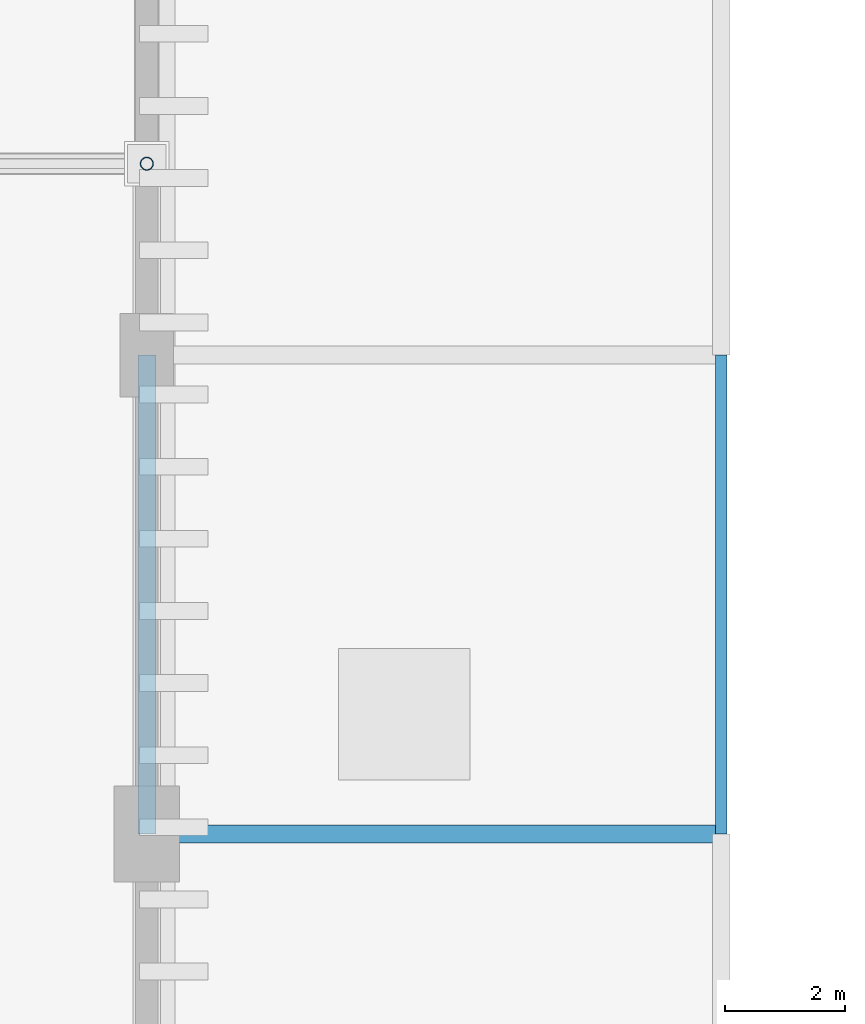
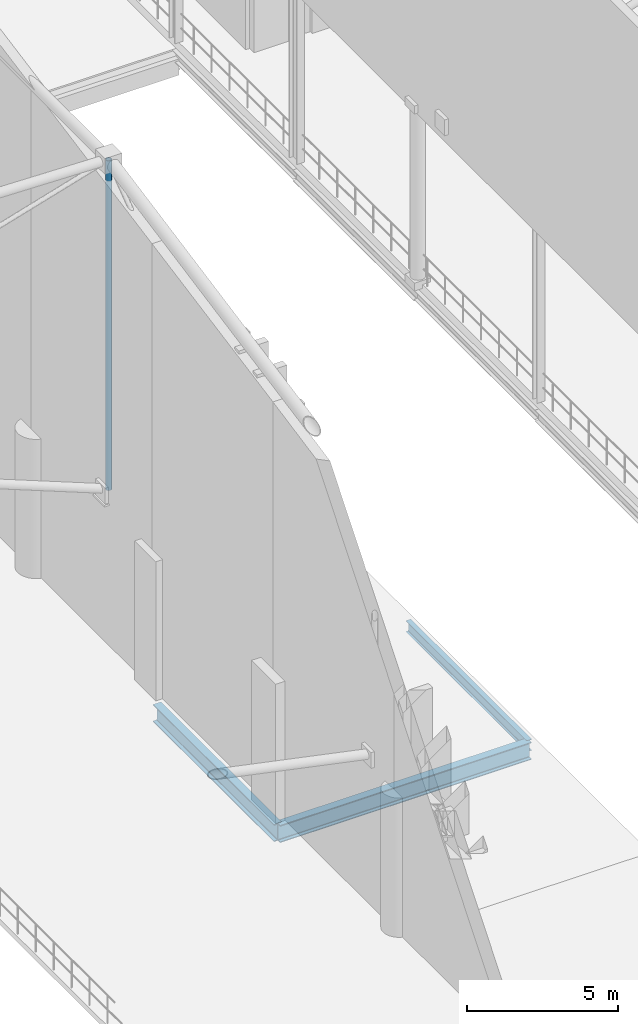
# One storey, part 66 of 193: 3 beams, 1 member.
"""IFC4 building model written with IfcOpenShell, lengths in metres."""

import ifcopenshell
import ifcopenshell.guid

model = None  # the IFC model being written
_history = None  # IfcOwnerHistory: only IFC2X3 demands one
_inside = {}  # id of a spatial element -> (the spatial element, [elements in it])
_under = {}  # id of a project, library or spatial element -> (it, [spatial elements below it])
_declared = {}  # id of a project -> (the project, [libraries it declares])
_typed = {}  # id of a type object -> (the type object, [elements of that type])
_made_of = {}  # id of a material, layer set ... -> (it, [elements and type objects made of it])


def new_model(schema):
    """Start an empty IFC model of exactly this schema.

    Asked for "IFC4X3", IfcOpenShell would pick the latest addendum, in which some entities
    have other attributes; the version numbers below select the first issue.
    IFC2X3 requires an IfcOwnerHistory on every rooted entity: one is made here for all.
    """
    global model, _history
    if schema == "IFC4X3":
        model = ifcopenshell.file(schema_version=(4, 3, 0, 0))
    else:
        model = ifcopenshell.file(schema=schema)
    _inside.clear()
    _under.clear()
    _declared.clear()
    _typed.clear()
    _made_of.clear()
    _history = None
    if model.schema == "IFC2X3":
        org = make("IfcOrganization", Name="unknown")
        user = make(
            "IfcPersonAndOrganization",
            ThePerson=make("IfcPerson", FamilyName="unknown"),
            TheOrganization=org,
        )
        app = make(
            "IfcApplication",
            ApplicationDeveloper=org,
            Version="unknown",
            ApplicationFullName="unknown",
            ApplicationIdentifier="unknown",
        )
        _history = make(
            "IfcOwnerHistory",
            OwningUser=user,
            OwningApplication=app,
            ChangeAction="ADDED",
            CreationDate=0,
        )
    return model


def make(cls, **values):
    """One entity of the class cls with the attributes given. An attribute that is None is left unset."""
    return model.create_entity(
        cls, **{name: value for name, value in values.items() if value is not None}
    )


def rooted(cls, **values):
    """An entity with a GlobalId (a new one), such as an element, a storey or a relation."""
    return make(cls, GlobalId=ifcopenshell.guid.new(), OwnerHistory=_history, **values)


def si_unit(unit_type, name, prefix=None):
    """IfcSIUnit, for example si_unit("LENGTHUNIT", "METRE", prefix="MILLI")."""
    return make("IfcSIUnit", UnitType=unit_type, Prefix=prefix, Name=name)


def assignment(units):
    """IfcUnitAssignment: the units of a project."""
    return None if units is None else make("IfcUnitAssignment", Units=units)


def point(xyz):
    """IfcCartesianPoint."""
    return None if xyz is None else make("IfcCartesianPoint", Coordinates=xyz)


def direction(xyz):
    """IfcDirection."""
    return None if xyz is None else make("IfcDirection", DirectionRatios=xyz)


def frame(location, z_axis=None, x_axis=None):
    """IfcAxis2Placement3D, a coordinate frame: its origin and axes. An axis left out is left unset."""
    return make(
        "IfcAxis2Placement3D",
        Location=point(location),
        Axis=direction(z_axis),
        RefDirection=direction(x_axis),
    )


def frame_2d(location, x_axis=None):
    """IfcAxis2Placement2D, a coordinate frame in the plane: its origin and x axis."""
    return make(
        "IfcAxis2Placement2D", Location=point(location), RefDirection=direction(x_axis)
    )


def origin():
    """The frame at (0, 0, 0) with its axes left unset."""
    return frame((0.0, 0.0, 0.0))


def origin_2d():
    """The frame at (0, 0) in the plane with its x axis left unset."""
    return frame_2d((0.0, 0.0))


def place(relative_to, where):
    """IfcLocalPlacement: puts the frame where relative to a parent placement (None: the world)."""
    return make(
        "IfcLocalPlacement", PlacementRelTo=relative_to, RelativePlacement=where
    )


def context(
    kind, dimensions, precision=None, world=None, true_north=None, identifier=None
):
    """IfcGeometricRepresentationContext, for example the 3D "Model" context."""
    return make(
        "IfcGeometricRepresentationContext",
        ContextIdentifier=identifier,
        ContextType=kind,
        CoordinateSpaceDimension=dimensions,
        Precision=precision,
        WorldCoordinateSystem=world,
        TrueNorth=true_north,
    )


def subcontext(parent, identifier, kind, view, scale=None):
    """IfcGeometricRepresentationSubContext, for example "Body" below "Model"."""
    return make(
        "IfcGeometricRepresentationSubContext",
        ContextIdentifier=identifier,
        ContextType=kind,
        ParentContext=parent,
        TargetScale=scale,
        TargetView=view,
    )


def project(units=None, contexts=None):
    """IfcProject with its units and contexts."""
    return rooted(
        "IfcProject",
        Name="project",
        RepresentationContexts=contexts,
        UnitsInContext=assignment(units),
    )


def spatial(cls, under=None, at=None, **own):
    """A site, building, storey or space (cls), placed at a placement, below another one or the project."""
    s = rooted(cls, ObjectPlacement=at, **own)
    if under is not None:
        _under.setdefault(under.id(), (under, []))[1].append(s)
    return s


def profile(cls, at=None, kind="AREA", **sizes):
    """A parametric profile (cls). Its sizes go by their IFC names, for example OverallWidth=200.0."""
    return make(cls, ProfileType=kind, Position=at, **sizes)


def hollow_circle(**sizes):
    """IfcCircleHollowProfileDef."""
    return profile("IfcCircleHollowProfileDef", **sizes)


def i_section(**sizes):
    """IfcIShapeProfileDef."""
    return profile("IfcIShapeProfileDef", **sizes)


def extrude(swept, where, along, depth):
    """IfcExtrudedAreaSolid: the profile swept, set in the frame where, extruded along a direction by depth."""
    return make(
        "IfcExtrudedAreaSolid",
        SweptArea=swept,
        Position=where,
        ExtrudedDirection=direction(along),
        Depth=depth,
    )


def shape(context_of_items, identifier, shape_type, items):
    """IfcShapeRepresentation: the items that make up one representation, for example the "Body"."""
    return make(
        "IfcShapeRepresentation",
        ContextOfItems=context_of_items,
        RepresentationIdentifier=identifier,
        RepresentationType=shape_type,
        Items=items,
    )


def material(Name=None, Category=None):
    """IfcMaterial."""
    return make("IfcMaterial", Name=Name, Category=Category)


def material_profile(
    of_material, cross_section, Name=None, Category=None, Priority=None
):
    """IfcMaterialProfile: a cross section and its material."""
    return make(
        "IfcMaterialProfile",
        Name=Name,
        Material=of_material,
        Profile=cross_section,
        Priority=Priority,
        Category=Category,
    )


def profile_set(profiles, Name=None, composite=None):
    """IfcMaterialProfileSet."""
    return make(
        "IfcMaterialProfileSet",
        Name=Name,
        MaterialProfiles=profiles,
        CompositeProfile=composite,
    )


def made_of(thing, what):
    """Note that an element or type object is made of a material, layer set ...; save() writes the relation."""
    if what is not None:
        _made_of.setdefault(what.id(), (what, []))[1].append(thing)
    return thing


def type_object(cls, material=None, **own):
    """A type object (cls), such as IfcWallType, which elements share."""
    return made_of(rooted(cls, **own), material)


def element(
    cls,
    number,
    at=None,
    inside=None,
    cuts=None,
    type_object=None,
    material=None,
    context=None,
    identifier="Body",
    shape_type=None,
    held_by="IfcProductDefinitionShape",
    body=None,
    shapes=None,
    **own,
):
    """One element of the class cls, such as IfcWall. Its Tag is "e" and its number.

    at: its placement. inside: the storey or other place that contains it. cuts: it is an
    opening in that element (IfcRelVoidsElement). A single representation is given by context,
    identifier, shape_type and body (its items); several are given by shapes. held_by: the class
    of the entity that holds the representations. save() writes the other relations.
    """
    e = rooted(cls, Tag="e%d" % number, ObjectPlacement=at, **own)
    if body is not None:
        shapes = [shape(context, identifier, shape_type, body)]
    if shapes is not None:
        e.Representation = make(held_by, Representations=shapes)
    if inside is not None:
        _inside.setdefault(inside.id(), (inside, []))[1].append(e)
    if cuts is not None:
        rooted(
            "IfcRelVoidsElement", RelatingBuildingElement=cuts, RelatedOpeningElement=e
        )
    if type_object is not None:
        _typed.setdefault(type_object.id(), (type_object, []))[1].append(e)
    return made_of(e, material)


def aggregate(whole, parts):
    """IfcRelAggregates: a whole, such as a stair, and the parts it consists of."""
    return rooted("IfcRelAggregates", RelatingObject=whole, RelatedObjects=parts)


def save(model, path):
    """Write the relations noted so far, then the file.

    IfcRelAggregates (storeys below a building ...), IfcRelContainedInSpatialStructure (elements
    in a storey), IfcRelDefinesByType, IfcRelAssociatesMaterial and IfcRelDeclares: one each for
    every whole, place, type object, material and project.
    """
    for whole, parts in _under.values():
        aggregate(whole, parts)
    for where, things in _inside.values():
        rooted(
            "IfcRelContainedInSpatialStructure",
            RelatedElements=things,
            RelatingStructure=where,
        )
    for kind, things in _typed.values():
        rooted("IfcRelDefinesByType", RelatedObjects=things, RelatingType=kind)
    for what, things in _made_of.values():
        rooted("IfcRelAssociatesMaterial", RelatedObjects=things, RelatingMaterial=what)
    for by, libraries in _declared.values():
        rooted("IfcRelDeclares", RelatingContext=by, RelatedDefinitions=libraries)
    model.write(path)


model = new_model("IFC4")

# Units and contexts
model_context = context("Model", 3, precision=1e-05, world=origin(), true_north=direction((0.0, 1.0)))
body_context = subcontext(model_context, "Body", "Model", "MODEL_VIEW")
ifc_project = project(units=[si_unit("LENGTHUNIT", "METRE"), si_unit("AREAUNIT", "SQUARE_METRE"), si_unit("VOLUMEUNIT", "CUBIC_METRE"), si_unit("PLANEANGLEUNIT", "RADIAN"), si_unit("MASSUNIT", "GRAM", prefix="KILO")], contexts=[model_context])

# Site, building, storey
site_placement = place(None, origin())
site = spatial("IfcSite", under=ifc_project, at=site_placement, CompositionType="ELEMENT")
building_placement = place(site_placement, origin())
building = spatial("IfcBuilding", under=site, at=building_placement, Name="Danafjord Basin Convention Centre", CompositionType="ELEMENT")
storey_placement = place(building_placement, frame((0.0, 0.0, 11.39990234375)))
storey = spatial("IfcBuildingStorey", under=building, at=storey_placement, Name="L02", CompositionType="ELEMENT", Elevation=11.39990234375)

# Beams
ifc_material = material(Name="Steel S355", Category="steel")
ifc_material_profile_1 = material_profile(ifc_material, i_section(OverallWidth=0.300048828125, OverallDepth=0.699951171875, WebThickness=0.01708984375, FlangeThickness=0.031982421875, FilletRadius=0.027099609375, at=origin_2d()), Name="HEB 700")
ifc_profile_set_1 = profile_set([ifc_material_profile_1], Name="Steel S355")
beam_type_1 = type_object("IfcBeamType", Name="BEAM-BM-HEB700", PredefinedType="BEAM", material=ifc_profile_set_1)
beam_1_placement = place(storey_placement, frame((115.199951171875, 80.0, -1.014892578125), z_axis=(1.0, 0.0, 0.0), x_axis=(0.0, 1.0, 0.0)))
element("IfcBeam", 1, at=beam_1_placement, inside=storey, type_object=beam_type_1, Name="L02 girder BM-HEB700", PredefinedType="BEAM", context=body_context, shape_type="SweptSolid", body=[
    extrude(i_section(OverallWidth=0.300048828125, OverallDepth=0.699951171875, WebThickness=0.01708984375, FlangeThickness=0.031982421875, FilletRadius=0.027099609375, at=origin_2d()), origin(), (0.0, 0.0, 1.0), 9.60009765625),
])
beam_2_placement = place(storey_placement, frame((115.199951171875, 80.0, -1.014892578125), z_axis=(0.0, 1.0, 0.0), x_axis=(-1.0, 0.0, 0.0)))
element("IfcBeam", 2, at=beam_2_placement, inside=storey, type_object=beam_type_1, Name="L02 transverse girder BM-HEB700", PredefinedType="BEAM", context=body_context, shape_type="SweptSolid", body=[
    extrude(i_section(OverallWidth=0.300048828125, OverallDepth=0.699951171875, WebThickness=0.01708984375, FlangeThickness=0.031982421875, FilletRadius=0.027099609375, at=origin_2d()), origin(), (0.0, 0.0, 1.0), 8.0),
])
ifc_material_profile_2 = material_profile(ifc_material, i_section(OverallWidth=0.18994140625, OverallDepth=0.449951171875, WebThickness=0.009521484375, FlangeThickness=0.0146484375, FilletRadius=0.02099609375, at=origin_2d()), Name="IPE 450")
ifc_profile_set_2 = profile_set([ifc_material_profile_2], Name="Steel S355")
beam_type_2 = type_object("IfcBeamType", Name="BEAM-SP-IPE450", PredefinedType="SPANDREL", material=ifc_profile_set_2)
beam_3_placement = place(storey_placement, frame((124.800048828125, 80.0, -0.889892578125), z_axis=(0.0, 1.0, 0.0), x_axis=(-1.0, 0.0, 0.0)))
element("IfcBeam", 3, at=beam_3_placement, inside=storey, type_object=beam_type_2, Name="L02 transverse girder SP-IPE450", PredefinedType="SPANDREL", context=body_context, shape_type="SweptSolid", body=[
    extrude(i_section(OverallWidth=0.18994140625, OverallDepth=0.449951171875, WebThickness=0.009521484375, FlangeThickness=0.0146484375, FilletRadius=0.02099609375, at=origin_2d()), origin(), (0.0, 0.0, 1.0), 8.0),
])

# Member
ifc_material_profile_3 = material_profile(ifc_material, hollow_circle(Radius=0.109619140625, WallThickness=0.010009765625, at=origin_2d()), Name="CHS 219.1x10.0")
ifc_profile_set_3 = profile_set([ifc_material_profile_3], Name="Steel S355")
member_type = type_object("IfcMemberType", Name="MEM-ST-CHS219", PredefinedType="STRUT", material=ifc_profile_set_3)
member_placement = place(storey_placement, frame((115.199951171875, 91.199951171875, 6.050048828125), z_axis=(0.0, 0.0, 1.0), x_axis=(1.0, 0.0, 0.0)))
element("IfcMember", 4, at=member_placement, inside=storey, type_object=member_type, Name="V1 roof truss vertical strut", PredefinedType="STRUT", context=body_context, shape_type="SweptSolid", body=[
    extrude(hollow_circle(Radius=0.109619140625, WallThickness=0.010009765625, at=origin_2d()), origin(), (0.0, 0.0, 1.0), 13.310546875),
])

save(model, "model.ifc")
